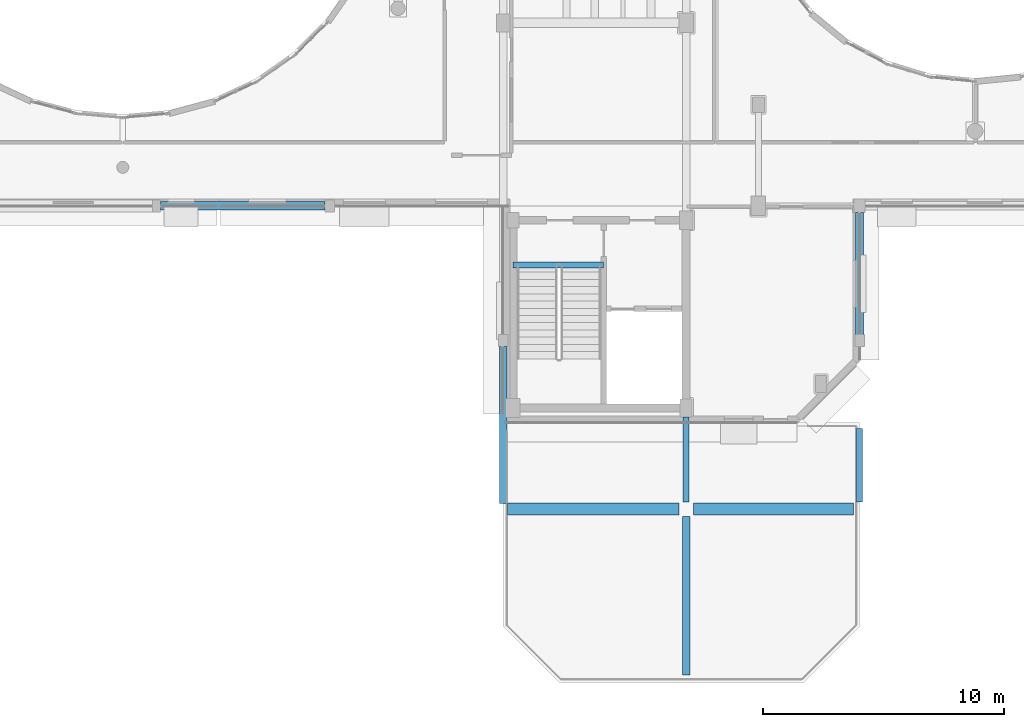
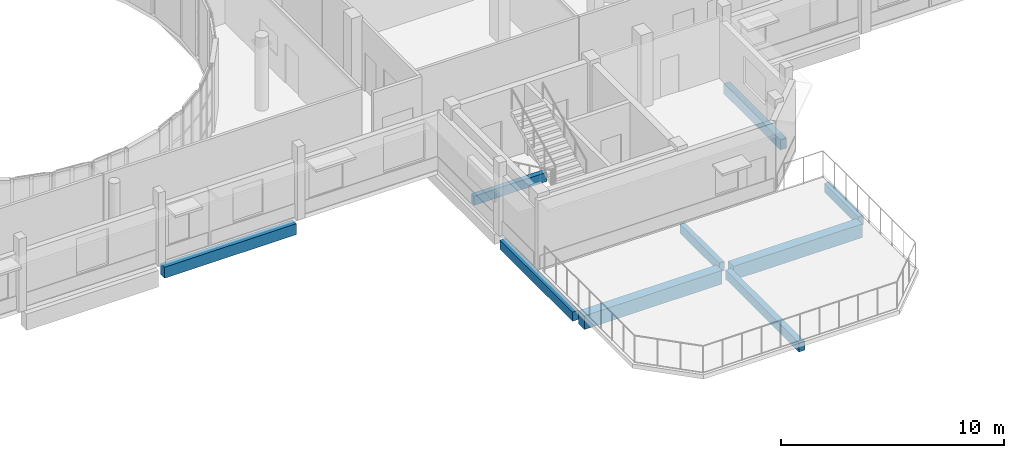
# One storey, part 21 of 89: 9 beams.
"""IFC4 building model written with IfcOpenShell, lengths in metres."""

from ifc_helpers import new_model, si_unit, direction, frame, origin, origin_2d, place, context, subcontext, project, spatial, rectangle, extrude, material, material_profile, profile_set, type_object, element, save


model = new_model("IFC4")

# Units and contexts
model_context = context("Model", 3, precision=1e-05, world=origin(), true_north=direction((0.0, 1.0)))
body_context = subcontext(model_context, "Body", "Model", "MODEL_VIEW")
ifc_project = project(units=[si_unit("LENGTHUNIT", "METRE"), si_unit("AREAUNIT", "SQUARE_METRE"), si_unit("VOLUMEUNIT", "CUBIC_METRE"), si_unit("PLANEANGLEUNIT", "RADIAN"), si_unit("MASSUNIT", "GRAM", prefix="KILO")], contexts=[model_context])

# Site, building, storey
site_placement = place(None, origin())
site = spatial("IfcSite", under=ifc_project, at=site_placement, CompositionType="ELEMENT")
building_placement = place(site_placement, origin())
building = spatial("IfcBuilding", under=site, at=building_placement, Name="Kelanivale Promenade Academy", CompositionType="ELEMENT")
storey_placement = place(building_placement, frame((0.0, 0.0, 12.199951171875)))
storey = spatial("IfcBuildingStorey", under=building, at=storey_placement, Name="L03", CompositionType="ELEMENT", Elevation=12.199951171875)

# Beams
ifc_material = material(Name="Concrete C35/45", Category="concrete")
ifc_material_profile_1 = material_profile(ifc_material, rectangle(XDim=0.5, YDim=0.75, at=origin_2d()), Name="RC-BM 500x750")
ifc_profile_set_1 = profile_set([ifc_material_profile_1], Name="Concrete C35/45")
beam_type_1 = type_object("IfcBeamType", Name="BM-06 RC-BM 500x750", PredefinedType="BEAM", material=ifc_profile_set_1)
beam_1_placement = place(storey_placement, frame((79.3701171875, 29.39990234375, -0.60986328125), z_axis=(1.0, 0.0, 0.0), x_axis=(0.0, 1.0, 0.0)))
element("IfcBeam", 1, at=beam_1_placement, inside=storey, type_object=beam_type_1, Name="L03 girder BM-06", PredefinedType="BEAM", context=body_context, shape_type="SweptSolid", body=[
    extrude(rectangle(XDim=0.5, YDim=0.75, at=origin_2d()), origin(), (0.0, 0.0, 1.0), 7.134765625),
])
beam_2_placement = place(storey_placement, frame((87.094970703125, 29.39990234375, -0.60986328125), z_axis=(1.0, 0.0, 0.0), x_axis=(0.0, 1.0, 0.0)))
element("IfcBeam", 2, at=beam_2_placement, inside=storey, type_object=beam_type_1, Name="L03 girder BM-06", PredefinedType="BEAM", context=body_context, shape_type="SweptSolid", body=[
    extrude(rectangle(XDim=0.5, YDim=0.75, at=origin_2d()), origin(), (0.0, 0.0, 1.0), 6.659912109375),
])
ifc_material_profile_2 = material_profile(ifc_material, rectangle(XDim=0.35009765625, YDim=0.60009765625, at=origin_2d()), Name="RC-BM 350x600")
ifc_profile_set_2 = profile_set([ifc_material_profile_2], Name="Concrete C35/45")
beam_type_2 = type_object("IfcBeamType", Name="BM-09 RC-BM 350x600", PredefinedType="BEAM", material=ifc_profile_set_2)
beam_3_placement = place(storey_placement, frame((64.969970703125, 42.0, -0.52001953125), z_axis=(1.0, 0.0, 0.0), x_axis=(0.0, 1.0, 0.0)))
element("IfcBeam", 3, at=beam_3_placement, inside=storey, type_object=beam_type_2, Name="L03 girder BM-09", PredefinedType="BEAM", context=body_context, shape_type="SweptSolid", body=[
    extrude(rectangle(XDim=0.35009765625, YDim=0.60009765625, at=origin_2d()), origin(), (0.0, 0.0, 1.0), 6.8349609375),
])
ifc_material_profile_3 = material_profile(ifc_material, rectangle(XDim=0.300048828125, YDim=0.5, at=origin_2d()), Name="RC-BM 300x500")
ifc_profile_set_3 = profile_set([ifc_material_profile_3], Name="Concrete C35/45")
beam_type_3 = type_object("IfcBeamType", Name="JS-01 RC-BM 300x500", PredefinedType="JOIST", material=ifc_profile_set_3)
beam_4_placement = place(storey_placement, frame((79.199951171875, 29.64501953125, -0.469970703125), z_axis=(0.0, 1.0, 0.0), x_axis=(-1.0, 0.0, 0.0)))
element("IfcBeam", 4, at=beam_4_placement, inside=storey, type_object=beam_type_3, Name="L03 beam JS-01", PredefinedType="JOIST", context=body_context, shape_type="SweptSolid", body=[
    extrude(rectangle(XDim=0.300048828125, YDim=0.5, at=origin_2d()), origin(), (0.0, 0.0, 1.0), 6.510009765625),
])
beam_5_placement = place(storey_placement, frame((86.800048828125, 22.52001953125, -0.48486328125), z_axis=(0.0, 1.0, 0.0), x_axis=(-1.0, 0.0, 0.0)))
element("IfcBeam", 5, at=beam_5_placement, inside=storey, type_object=beam_type_3, Name="L03 beam JS-01", PredefinedType="JOIST", context=body_context, shape_type="SweptSolid", body=[
    extrude(rectangle(XDim=0.300048828125, YDim=0.5, at=origin_2d()), origin(), (0.0, 0.0, 1.0), 6.5849609375),
])
ifc_material_profile_4 = material_profile(ifc_material, rectangle(XDim=0.320068359375, YDim=0.550048828125, at=origin_2d()), Name="RC-BM 320x550")
ifc_profile_set_4 = profile_set([ifc_material_profile_4], Name="Concrete C35/45")
beam_type_4 = type_object("IfcBeamType", Name="JS-04 RC-BM 320x550", PredefinedType="JOIST", material=ifc_profile_set_4)
beam_6_placement = place(storey_placement, frame((94.0, 36.64501953125, -0.494873046875), z_axis=(0.0, 1.0, 0.0), x_axis=(-1.0, 0.0, 0.0)))
element("IfcBeam", 6, at=beam_6_placement, inside=storey, type_object=beam_type_4, Name="L03 beam JS-04", PredefinedType="JOIST", context=body_context, shape_type="SweptSolid", body=[
    extrude(rectangle(XDim=0.320068359375, YDim=0.550048828125, at=origin_2d()), origin(), (0.0, 0.0, 1.0), 5.0849609375),
])
ifc_material_profile_5 = material_profile(ifc_material, rectangle(XDim=0.25, YDim=0.5, at=origin_2d()), Name="RC-BM 250x500")
ifc_profile_set_5 = profile_set([ifc_material_profile_5], Name="Concrete C35/45")
beam_type_5 = type_object("IfcBeamType", Name="LN-02 RC-BM 250x500", PredefinedType="LINTEL", material=ifc_profile_set_5)
beam_7_placement = place(storey_placement, frame((86.800048828125, 29.695068359375, -0.48486328125), z_axis=(0.0, 1.0, 0.0), x_axis=(-1.0, 0.0, 0.0)))
element("IfcBeam", 7, at=beam_7_placement, inside=storey, type_object=beam_type_5, Name="L03 beam LN-02", PredefinedType="LINTEL", context=body_context, shape_type="SweptSolid", body=[
    extrude(rectangle(XDim=0.25, YDim=0.5, at=origin_2d()), origin(), (0.0, 0.0, 1.0), 3.534912109375),
])
beam_8_placement = place(storey_placement, frame((94.0, 29.695068359375, -0.48486328125), z_axis=(0.0, 1.0, 0.0), x_axis=(-1.0, 0.0, 0.0)))
element("IfcBeam", 8, at=beam_8_placement, inside=storey, type_object=beam_type_5, Name="L03 beam LN-02", PredefinedType="LINTEL", context=body_context, shape_type="SweptSolid", body=[
    extrude(rectangle(XDim=0.25, YDim=0.5, at=origin_2d()), origin(), (0.0, 0.0, 1.0), 3.059814453125),
])
beam_9_placement = place(storey_placement, frame((79.60009765625, 39.544921875, -0.25), z_axis=(1.0, 0.0, 0.0), x_axis=(0.0, 1.0, 0.0)))
element("IfcBeam", 9, at=beam_9_placement, inside=storey, type_object=beam_type_5, Name="CORE-1 stair arrival trimmer beam L03", PredefinedType="LINTEL", context=body_context, shape_type="SweptSolid", body=[
    extrude(rectangle(XDim=0.25, YDim=0.5, at=origin_2d()), origin(), (0.0, 0.0, 1.0), 3.77490234375),
])

save(model, "model.ifc")
